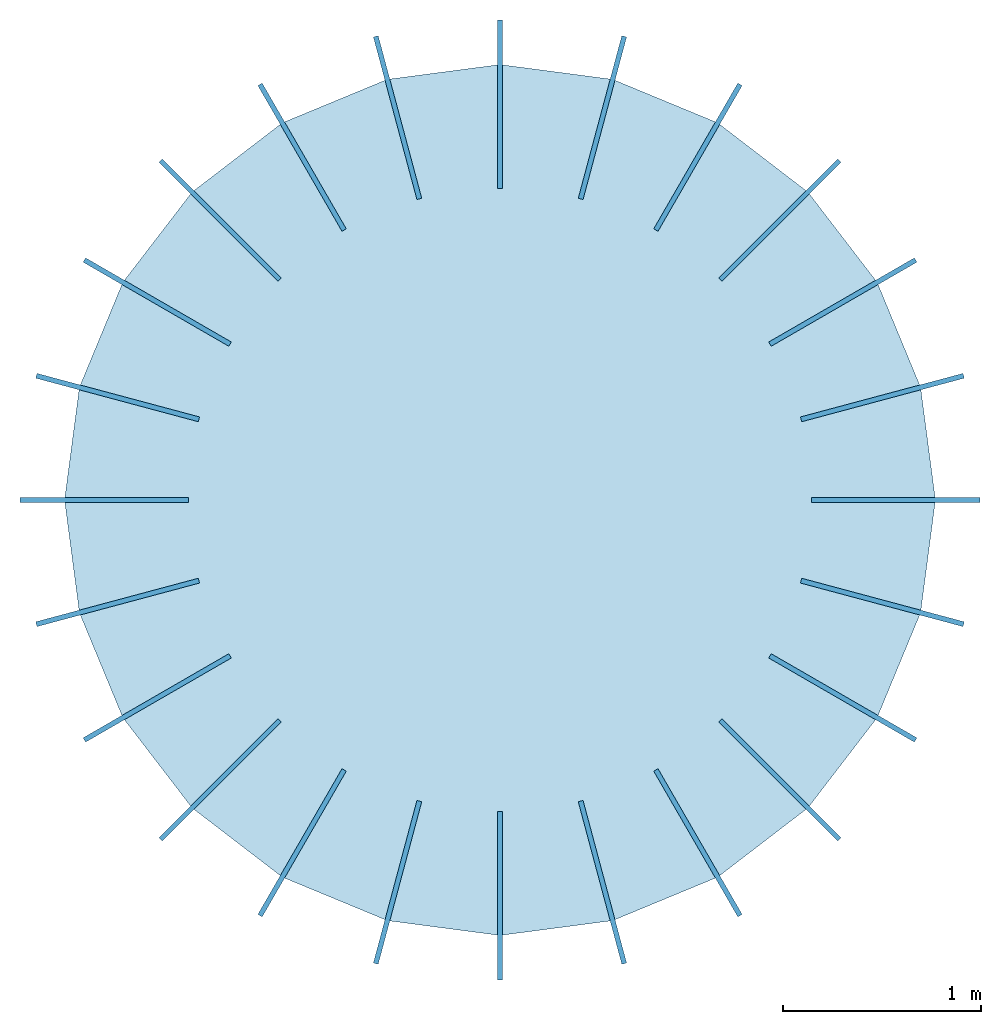
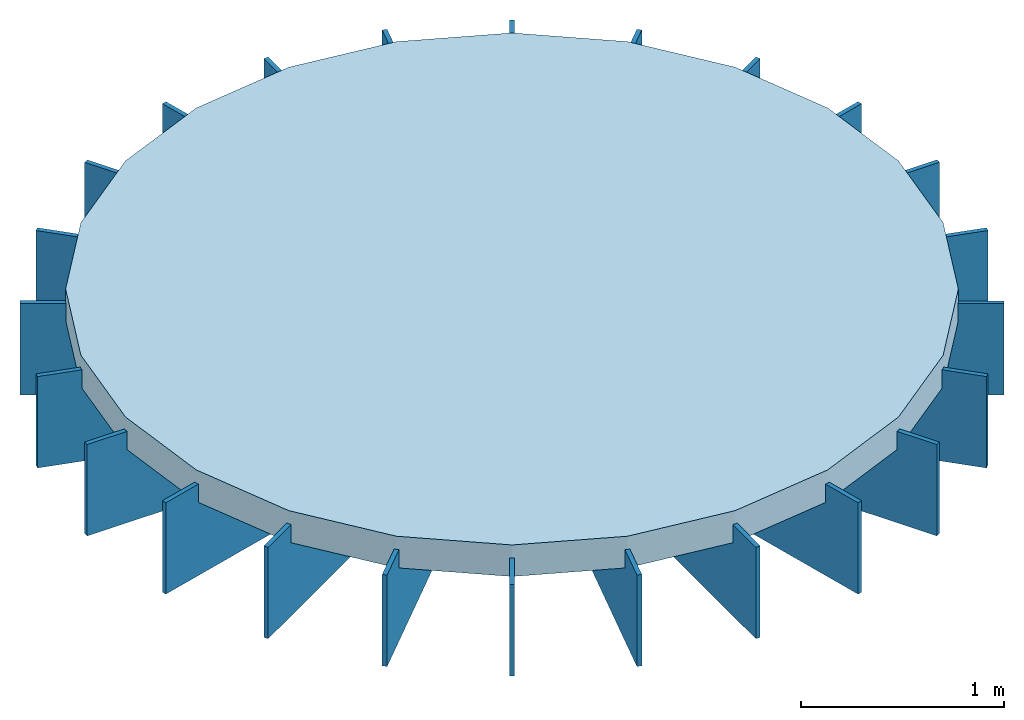
# One storey: 24 plates, 1 slab.
"""IFC4 building model written with IfcOpenShell, lengths in metres."""

from ifc_helpers import new_model, si_unit, direction, frame, origin, origin_2d, place, context, subcontext, project, spatial, polyline, rectangle, outline, extrude, material, layer, layer_set, type_object, element, save


model = new_model("IFC4")

# Units and contexts
model_context = context("Model", 3, precision=1e-05, world=origin(), true_north=direction((0.0, 1.0)))
body_context = subcontext(model_context, "Body", "Model", "MODEL_VIEW")
ifc_project = project(units=[si_unit("LENGTHUNIT", "METRE"), si_unit("AREAUNIT", "SQUARE_METRE"), si_unit("VOLUMEUNIT", "CUBIC_METRE"), si_unit("PLANEANGLEUNIT", "RADIAN"), si_unit("MASSUNIT", "GRAM", prefix="KILO")], contexts=[model_context])

# Site, building, storey
site_placement = place(None, origin())
site = spatial("IfcSite", under=ifc_project, at=site_placement, CompositionType="ELEMENT")
building_placement = place(site_placement, origin())
building = spatial("IfcBuilding", under=site, at=building_placement, Name="Marnock Terrace Opera House", CompositionType="ELEMENT")
storey_placement = place(building_placement, frame((0.0, 0.0, 35.300048828125)))
storey = spatial("IfcBuildingStorey", under=building, at=storey_placement, Name="ROOF", CompositionType="ELEMENT", Elevation=35.300048828125)

# Plates
ifc_material_1 = material(Name="Steel Grade 350 (AS/NZS 3679.1)", Category="steel")
ifc_layer_1 = layer(ifc_material_1, 0.02490234375)
ifc_layer_set_1 = layer_set([ifc_layer_1], Name="Steel Grade 350 (AS/NZS 3679.1)")
plate_type = type_object("IfcPlateType", Name="PLT-RING-25", PredefinedType="SHEET", material=ifc_layer_set_1)
for number, where, z_axis, x_axis, name in (
    (1, (84.0, 60.5, 1.27001953125), (0.0, 0.0, 1.0), (1.0, 0.0, 0.0), "Dome crown compression ring node stiffener DN-1.1"),
    (2, (83.931884765625, 61.017578125, 1.27001953125), (0.0, 0.0, 1.0), (0.965925826289, 0.258819045103, 0.0), "Dome crown compression ring node stiffener DN-1.2"),
    (3, (83.73193359375, 61.5, 1.27001953125), (0.0, 0.0, 1.0), (0.866025403784, 0.5, 0.0), "Dome crown compression ring node stiffener DN-1.3"),
    (4, (83.414306640625, 61.914306640625, 1.27001953125), (0.0, 0.0, 1.0), (0.707106781187, 0.707106781187, 0.0), "Dome crown compression ring node stiffener DN-1.4"),
    (5, (83.0, 62.23193359375, 1.27001953125), (0.0, 0.0, 1.0), (0.5, 0.866025403784, 0.0), "Dome crown compression ring node stiffener DN-1.5"),
    (6, (82.517578125, 62.431884765625, 1.27001953125), (0.0, 0.0, 1.0), (0.258819045103, 0.965925826289, 0.0), "Dome crown compression ring node stiffener DN-1.6"),
    (7, (82.0, 62.5, 1.27001953125), (0.0, 0.0, 1.0), (0.0, 1.0, 0.0), "Dome crown compression ring node stiffener DN-1.7"),
    (8, (81.482421875, 62.431884765625, 1.27001953125), (0.0, 0.0, 1.0), (-0.258819045103, 0.965925826289, 0.0), "Dome crown compression ring node stiffener DN-1.8"),
    (9, (81.0, 62.23193359375, 1.27001953125), (0.0, 0.0, 1.0), (-0.5, 0.866025403784, 0.0), "Dome crown compression ring node stiffener DN-1.9"),
    (10, (80.585693359375, 61.914306640625, 1.27001953125), (0.0, 0.0, 1.0), (-0.707106781187, 0.707106781187, 0.0), "Dome crown compression ring node stiffener DN-1.10"),
    (11, (80.26806640625, 61.5, 1.27001953125), (0.0, 0.0, 1.0), (-0.866025403784, 0.5, 0.0), "Dome crown compression ring node stiffener DN-1.11"),
    (12, (80.068115234375, 61.017578125, 1.27001953125), (0.0, 0.0, 1.0), (-0.965925826289, 0.258819045103, 0.0), "Dome crown compression ring node stiffener DN-1.12"),
    (13, (80.0, 60.5, 1.27001953125), (0.0, 0.0, 1.0), (-1.0, 0.0, 0.0), "Dome crown compression ring node stiffener DN-1.13"),
    (14, (80.068115234375, 59.982421875, 1.27001953125), (0.0, 0.0, 1.0), (-0.965925826289, -0.258819045103, 0.0), "Dome crown compression ring node stiffener DN-1.14"),
    (15, (80.26806640625, 59.5, 1.27001953125), (0.0, 0.0, 1.0), (-0.866025403784, -0.5, 0.0), "Dome crown compression ring node stiffener DN-1.15"),
    (16, (80.585693359375, 59.085693359375, 1.27001953125), (0.0, 0.0, 1.0), (-0.707106781187, -0.707106781187, 0.0), "Dome crown compression ring node stiffener DN-1.16"),
    (17, (81.0, 58.76806640625, 1.27001953125), (0.0, 0.0, 1.0), (-0.5, -0.866025403784, 0.0), "Dome crown compression ring node stiffener DN-1.17"),
    (18, (81.482421875, 58.568115234375, 1.27001953125), (0.0, 0.0, 1.0), (-0.258819045103, -0.965925826289, 0.0), "Dome crown compression ring node stiffener DN-1.18"),
    (19, (82.0, 58.5, 1.27001953125), (0.0, 0.0, 1.0), (0.0, -1.0, 0.0), "Dome crown compression ring node stiffener DN-1.19"),
    (20, (82.517578125, 58.568115234375, 1.27001953125), (0.0, 0.0, 1.0), (0.258819045103, -0.965925826289, 0.0), "Dome crown compression ring node stiffener DN-1.20"),
    (21, (83.0, 58.76806640625, 1.27001953125), (0.0, 0.0, 1.0), (0.5, -0.866025403784, 0.0), "Dome crown compression ring node stiffener DN-1.21"),
    (22, (83.414306640625, 59.085693359375, 1.27001953125), (0.0, 0.0, 1.0), (0.707106781187, -0.707106781187, 0.0), "Dome crown compression ring node stiffener DN-1.22"),
    (23, (83.73193359375, 59.5, 1.27001953125), (0.0, 0.0, 1.0), (0.866025403784, -0.5, 0.0), "Dome crown compression ring node stiffener DN-1.23"),
    (24, (83.931884765625, 59.982421875, 1.27001953125), (0.0, 0.0, 1.0), (0.965925826289, -0.258819045103, 0.0), "Dome crown compression ring node stiffener DN-1.24"),
):
    element("IfcPlate", number, at=place(storey_placement, frame(where, z_axis=z_axis, x_axis=x_axis)), inside=storey, type_object=plate_type, Name=name, PredefinedType="SHEET", context=body_context, shape_type="SweptSolid", body=[
        extrude(rectangle(XDim=0.85009765625, YDim=0.02490234375, at=origin_2d()), origin(), (0.0, 0.0, 1.0), 0.550048828125),
    ])

# Slab
ifc_material_2 = material(Name="Concrete N40 (f'c = 40 MPa)", Category="concrete")
ifc_layer_2 = layer(ifc_material_2, 0.18994140625)
ifc_layer_set_2 = layer_set([ifc_layer_2], Name="Concrete N40 (f'c = 40 MPa)")
slab_type = type_object("IfcSlabType", Name="SL-CUPOLA-190", PredefinedType="ROOF", material=ifc_layer_set_2)
slab_placement = place(storey_placement, frame((0.0, 0.0, 1.7099609375)))
element("IfcSlab", 25, at=slab_placement, inside=storey, type_object=slab_type, Name="Auditorium dome closed acoustic cupola cap slab", PredefinedType="ROOF", context=body_context, shape_type="SweptSolid", body=[
    extrude(outline(polyline([(84.199951171875, 60.5), (84.125, 61.0693359375), (83.9052734375, 61.60009765625), (83.5556640625, 62.0556640625), (83.10009765625, 62.4052734375), (82.5693359375, 62.625), (82.0, 62.699951171875), (81.4306640625, 62.625), (80.89990234375, 62.4052734375), (80.4443359375, 62.0556640625), (80.0947265625, 61.60009765625), (79.875, 61.0693359375), (79.800048828125, 60.5), (79.875, 59.9306640625), (80.0947265625, 59.39990234375), (80.4443359375, 58.9443359375), (80.89990234375, 58.5947265625), (81.4306640625, 58.375), (82.0, 58.300048828125), (82.5693359375, 58.375), (83.10009765625, 58.5947265625), (83.5556640625, 58.9443359375), (83.9052734375, 59.39990234375), (84.125, 59.9306640625), (84.199951171875, 60.5)])), origin(), (0.0, 0.0, 1.0), 0.18994140625),
])

save(model, "model.ifc")
